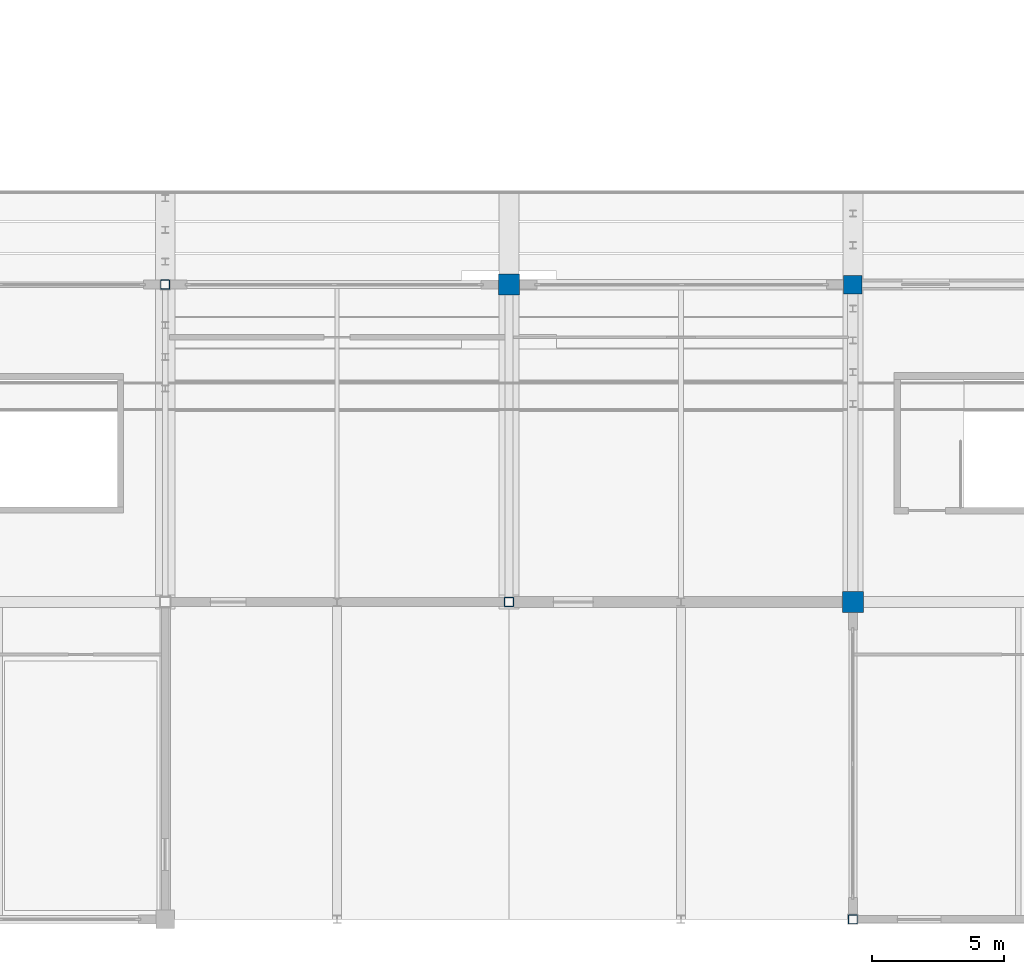
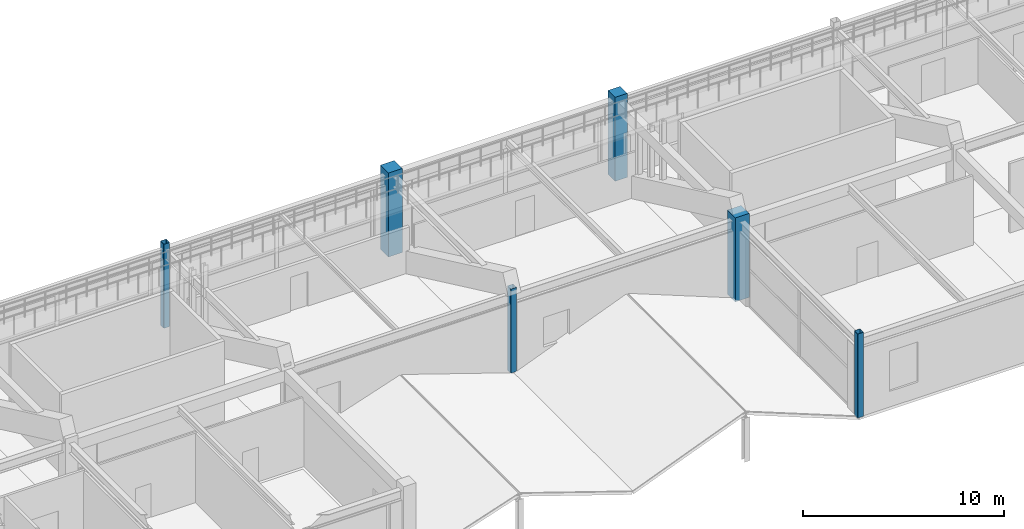
# One storey, part 6 of 128: 6 columns.
"""IFC4 building model written with IfcOpenShell, lengths in metres."""

from ifc_helpers import new_model, si_unit, direction, frame, origin, origin_2d, place, context, subcontext, project, spatial, rectangle, hollow_rectangle, extrude, material, material_profile, profile_set, type_object, element, save


model = new_model("IFC4")

# Units and contexts
model_context = context("Model", 3, precision=1e-05, world=origin(), true_north=direction((0.0, 1.0)))
body_context = subcontext(model_context, "Body", "Model", "MODEL_VIEW")
ifc_project = project(units=[si_unit("LENGTHUNIT", "METRE"), si_unit("AREAUNIT", "SQUARE_METRE"), si_unit("VOLUMEUNIT", "CUBIC_METRE"), si_unit("PLANEANGLEUNIT", "RADIAN"), si_unit("MASSUNIT", "GRAM", prefix="KILO")], contexts=[model_context])

# Site, building, storey
site_placement = place(None, origin())
site = spatial("IfcSite", under=ifc_project, at=site_placement, CompositionType="ELEMENT")
building_placement = place(site_placement, origin())
building = spatial("IfcBuilding", under=site, at=building_placement, Name="Kazenohara Klinker Stadium", CompositionType="ELEMENT")
storey_placement = place(building_placement, frame((0.0, 0.0, 15.300048828125)))
storey = spatial("IfcBuildingStorey", under=building, at=storey_placement, Name="L03", CompositionType="ELEMENT", Elevation=15.300048828125)

# Columns
ifc_material_1 = material(Name="Concrete C40/50", Category="concrete")
ifc_material_profile_1 = material_profile(ifc_material_1, rectangle(XDim=0.800048828125, YDim=0.800048828125, at=origin_2d()), Name="RC-COL-800x800")
ifc_profile_set_1 = profile_set([ifc_material_profile_1], Name="Concrete C40/50")
column_type_1 = type_object("IfcColumnType", Name="COL-RC05", PredefinedType="COLUMN", material=ifc_profile_set_1)
for number, where, z_axis, x_axis, name in (
    (1, (112.0, 36.0, 0.0), (0.0, 0.0, 1.0), (1.0, 0.0, 0.0), "Column C05 L03 10/D"),
    (2, (125.0, 24.0, 0.0), (0.0, 0.0, 1.0), (1.0, 0.0, 0.0), "Column C05 L03 11/C"),
):
    element("IfcColumn", number, at=place(storey_placement, frame(where, z_axis=z_axis, x_axis=x_axis)), inside=storey, type_object=column_type_1, Name=name, PredefinedType="COLUMN", context=body_context, shape_type="SweptSolid", body=[
        extrude(rectangle(XDim=0.800048828125, YDim=0.800048828125, at=origin_2d()), origin(), (0.0, 0.0, 1.0), 5.099853515625),
    ])
ifc_material_profile_2 = material_profile(ifc_material_1, rectangle(XDim=0.699951171875, YDim=0.699951171875, at=origin_2d()), Name="RC-COL-700x700")
ifc_profile_set_2 = profile_set([ifc_material_profile_2], Name="Concrete C40/50")
column_type_2 = type_object("IfcColumnType", Name="COL-RC06", PredefinedType="COLUMN", material=ifc_profile_set_2)
column_placement = place(storey_placement, frame((125.0, 36.0, 0.0), z_axis=(0.0, 0.0, 1.0), x_axis=(1.0, 0.0, 0.0)))
element("IfcColumn", 3, at=column_placement, inside=storey, type_object=column_type_2, Name="Column C06 L03 11/D", PredefinedType="COLUMN", context=body_context, shape_type="SweptSolid", body=[
    extrude(rectangle(XDim=0.699951171875, YDim=0.699951171875, at=origin_2d()), origin(), (0.0, 0.0, 1.0), 5.099853515625),
])
ifc_material_2 = material(Name="Steel S355", Category="steel")
ifc_material_profile_3 = material_profile(ifc_material_2, hollow_rectangle(XDim=0.35009765625, YDim=0.35009765625, WallThickness=0.01611328125, InnerFilletRadius=0.01611328125, OuterFilletRadius=0.031982421875, at=origin_2d()), Name="SHS-350x350x16")
ifc_profile_set_3 = profile_set([ifc_material_profile_3], Name="Steel S355")
column_type_3 = type_object("IfcColumnType", Name="COL-ST02", PredefinedType="COLUMN", material=ifc_profile_set_3)
for number, where, z_axis, x_axis, name in (
    (4, (99.0, 36.0, 0.0), (0.0, 0.0, 1.0), (1.0, 0.0, 0.0), "Column SC02 L03 9/D"),
    (5, (112.0, 24.0, 0.0), (0.0, 0.0, 1.0), (1.0, 0.0, 0.0), "Column SC02 L03 10/C"),
    (6, (125.0, 12.0, 0.0), (0.0, 0.0, 1.0), (1.0, 0.0, 0.0), "Column SC02 L03 11/B"),
):
    element("IfcColumn", number, at=place(storey_placement, frame(where, z_axis=z_axis, x_axis=x_axis)), inside=storey, type_object=column_type_3, Name=name, PredefinedType="COLUMN", context=body_context, shape_type="SweptSolid", body=[
        extrude(hollow_rectangle(XDim=0.35009765625, YDim=0.35009765625, WallThickness=0.01611328125, InnerFilletRadius=0.01611328125, OuterFilletRadius=0.031982421875, at=origin_2d()), origin(), (0.0, 0.0, 1.0), 5.099853515625),
    ])

save(model, "model.ifc")
